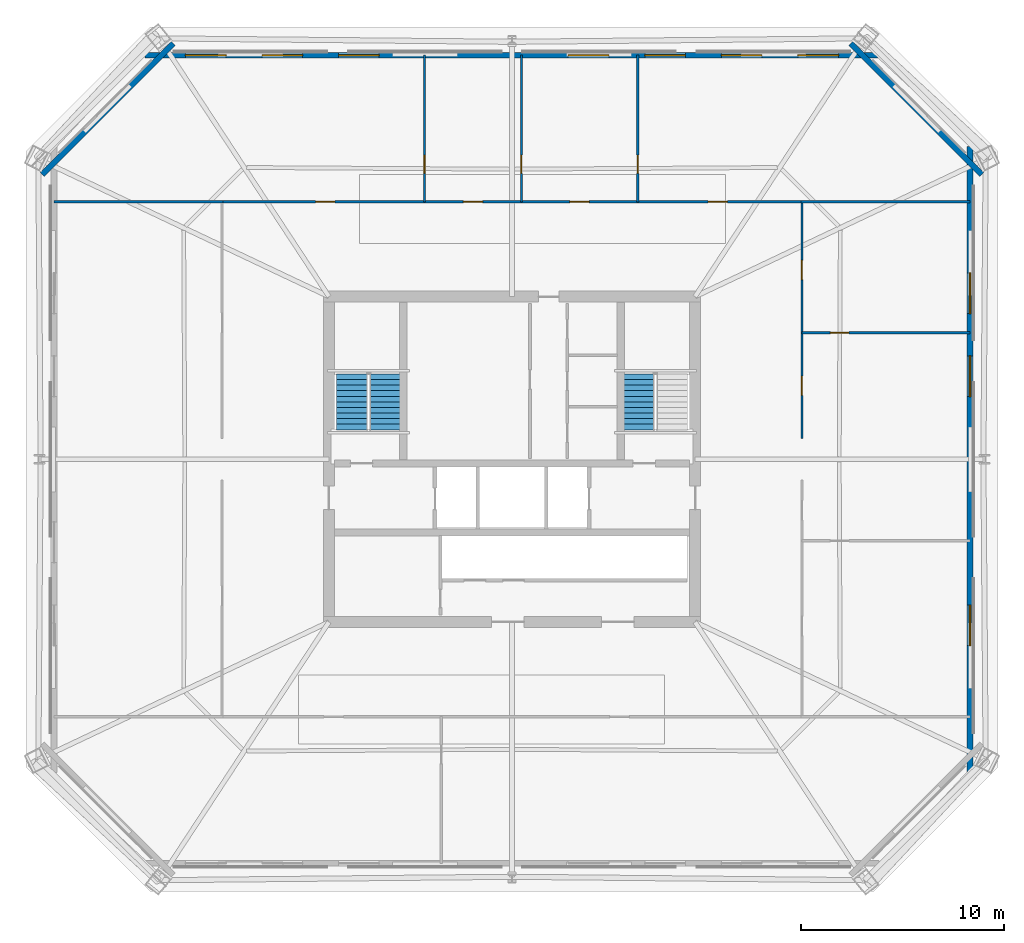
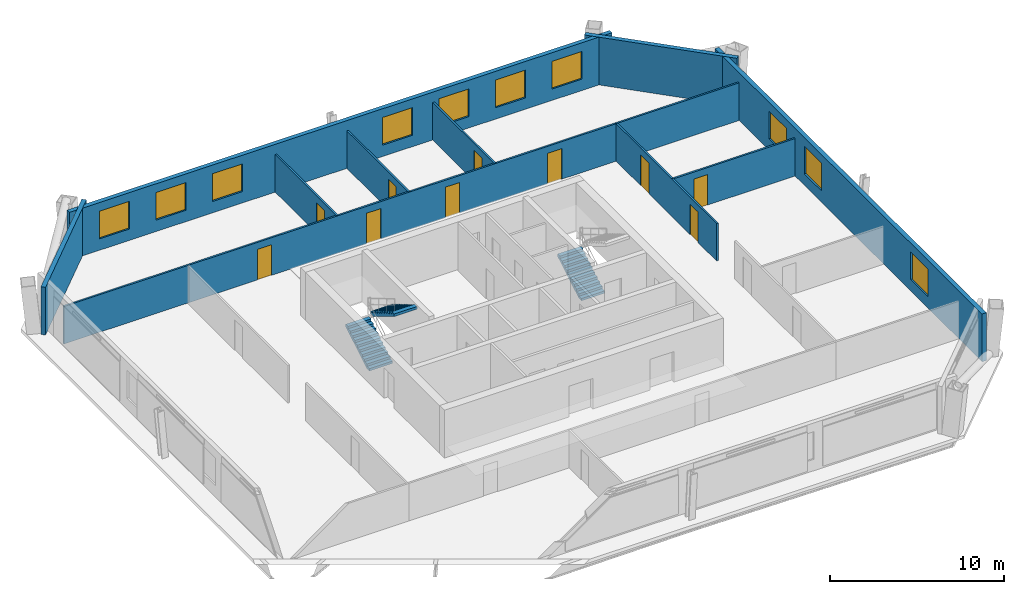
# One storey, part 4 of 7: 12 walls, 10 doors, 10 windows, 3 stair flights, 20 openings, 2 elements without a shape of their own.
"""IFC4 building model written with IfcOpenShell, lengths in metres."""

from ifc_helpers import new_model, si_unit, direction, frame, frame_2d, origin, place, context, subcontext, project, spatial, polyline, rectangle, outline, extrude, material, layer, layer_set, type_object, element, fill, aggregate, save


model = new_model("IFC4")

# Units and contexts
model_context = context("Model", 3, precision=1e-05, world=origin(), true_north=direction((0.0, 1.0)))
body_context = subcontext(model_context, "Body", "Model", "MODEL_VIEW")
ifc_project = project(units=[si_unit("LENGTHUNIT", "METRE"), si_unit("AREAUNIT", "SQUARE_METRE"), si_unit("VOLUMEUNIT", "CUBIC_METRE"), si_unit("PLANEANGLEUNIT", "RADIAN"), si_unit("MASSUNIT", "GRAM", prefix="KILO")], contexts=[model_context])

# Site, building, storey
site_placement = place(None, origin())
site = spatial("IfcSite", under=ifc_project, at=site_placement, CompositionType="ELEMENT")
building_placement = place(site_placement, origin())
building = spatial("IfcBuilding", under=site, at=building_placement, Name="Caelvoria Tower", CompositionType="ELEMENT")
storey_placement = place(building_placement, frame((0.0, 0.0, 134.800048828125)))
storey = spatial("IfcBuildingStorey", under=building, at=storey_placement, Name="L35", CompositionType="ELEMENT", Elevation=134.800048828125)

# Wall, openings, windows
ifc_material_1 = material(Name="Precast Concrete C40/50 with Bronze Cladding", Category="concrete")
ifc_layer_1 = layer(ifc_material_1, 0.280029296875, Name="Precast Concrete C40/50 with Bronze Cladding")
ifc_layer_set_1 = layer_set([ifc_layer_1], Name="Exterior Precast Concrete C40/50 Bronze-Clad Facade Wall 280 - Precast Concrete C40/50 with Bronze Cladding")
wall_type_1 = type_object("IfcWallType", Name="Exterior Precast Concrete C40/50 Bronze-Clad Facade Wall 280", PredefinedType="STANDARD", material=ifc_layer_set_1)
wall_1_placement = place(storey_placement, frame((68.52001953125, 16.610107421875, 0.0), z_axis=(0.0, 0.0, 1.0), x_axis=(0.0, 1.0, 0.0)))
wall_1 = element("IfcWall", 1, at=wall_1_placement, inside=storey, type_object=wall_type_1, Name="Exterior Facade Wall L35-E2", PredefinedType="STANDARD", context=body_context, shape_type="SweptSolid", body=[
    extrude(rectangle(XDim=30.77978515625, YDim=0.280029296875, at=frame_2d((15.389892578125, 0.0))), origin(), (0.0, 0.0, 1.0), 3.35986328125),
])
opening_1_placement = place(wall_1_placement, frame((6.224365234375, 0.0, 0.800048828125)))
opening_1 = element("IfcOpeningElement", 2, at=opening_1_placement, cuts=wall_1, Name="Opening WN-01", PredefinedType="OPENING", context=body_context, shape_type="SweptSolid", body=[
    extrude(rectangle(XDim=2.0, YDim=1.949951171875, at=frame_2d((1.0, 0.97509765625))), frame((0.0, 0.14990234375, 0.0), z_axis=(0.0, -1.0, 0.0), x_axis=(1.0, 0.0, 0.0)), (0.0, 0.0, 1.0), 0.300048828125),
])
opening_2_placement = place(wall_1_placement, frame((18.472900390625, 0.0, 0.800048828125)))
opening_2 = element("IfcOpeningElement", 3, at=opening_2_placement, cuts=wall_1, Name="Opening WN-01", PredefinedType="OPENING", context=body_context, shape_type="SweptSolid", body=[
    extrude(rectangle(XDim=2.0, YDim=1.949951171875, at=frame_2d((1.0, 0.97509765625))), frame((0.0, 0.14990234375, 0.0), z_axis=(0.0, -1.0, 0.0), x_axis=(1.0, 0.0, 0.0)), (0.0, 0.0, 1.0), 0.300048828125),
])
opening_3_placement = place(wall_1_placement, frame((22.5556640625, 0.0, 0.800048828125)))
opening_3 = element("IfcOpeningElement", 4, at=opening_3_placement, cuts=wall_1, Name="Opening WN-01", PredefinedType="OPENING", context=body_context, shape_type="SweptSolid", body=[
    extrude(rectangle(XDim=2.0, YDim=1.949951171875, at=frame_2d((1.0, 0.97509765625))), frame((0.0, 0.14990234375, 0.0), z_axis=(0.0, -1.0, 0.0), x_axis=(1.0, 0.0, 0.0)), (0.0, 0.0, 1.0), 0.300048828125),
])
ifc_material_2 = material(Name="Low-E Tinted Glass in Bronze Aluminium Frame", Category="aluminium")
window_type = type_object("IfcWindowType", Name="Tower Office Vision Window 2000x1950", PartitioningType="SINGLE_PANEL", PredefinedType="WINDOW", material=ifc_material_2)
window_1_placement = place(opening_1_placement, origin())
window_1 = element("IfcWindow", 5, at=window_1_placement, inside=storey, type_object=window_type, Name="Facade Window L35-E2-01", OverallHeight=1.949951171875, OverallWidth=2.0, PartitioningType="SINGLE_PANEL", PredefinedType="WINDOW", context=body_context, shape_type="SweptSolid", body=[
    extrude(rectangle(XDim=2.0, YDim=1.949951171875, at=frame_2d((1.0, 0.97509765625))), frame((0.0, 0.030029296875, 0.0), z_axis=(0.0, -1.0, 0.0), x_axis=(1.0, 0.0, 0.0)), (0.0, 0.0, 1.0), 0.06005859375),
])
fill(opening_1, window_1)
window_2_placement = place(opening_2_placement, origin())
window_2 = element("IfcWindow", 6, at=window_2_placement, inside=storey, type_object=window_type, Name="Facade Window L35-E2-04", OverallHeight=1.949951171875, OverallWidth=2.0, PartitioningType="SINGLE_PANEL", PredefinedType="WINDOW", context=body_context, shape_type="SweptSolid", body=[
    extrude(rectangle(XDim=2.0, YDim=1.949951171875, at=frame_2d((1.0, 0.97509765625))), frame((0.0, 0.030029296875, 0.0), z_axis=(0.0, -1.0, 0.0), x_axis=(1.0, 0.0, 0.0)), (0.0, 0.0, 1.0), 0.06005859375),
])
fill(opening_2, window_2)
window_3_placement = place(opening_3_placement, origin())
window_3 = element("IfcWindow", 7, at=window_3_placement, inside=storey, type_object=window_type, Name="Facade Window L35-E2-05", OverallHeight=1.949951171875, OverallWidth=2.0, PartitioningType="SINGLE_PANEL", PredefinedType="WINDOW", context=body_context, shape_type="SweptSolid", body=[
    extrude(rectangle(XDim=2.0, YDim=1.949951171875, at=frame_2d((1.0, 0.97509765625))), frame((0.0, 0.030029296875, 0.0), z_axis=(0.0, -1.0, 0.0), x_axis=(1.0, 0.0, 0.0)), (0.0, 0.0, 1.0), 0.06005859375),
])
fill(opening_3, window_3)

# Wall
wall_2_placement = place(storey_placement, frame((69.093994140625, 46.00439453125, 0.0), z_axis=(0.0, 0.0, 1.0), x_axis=(-0.707106781187, 0.707106781187, 0.0)))
element("IfcWall", 8, at=wall_2_placement, inside=storey, type_object=wall_type_1, Name="Exterior Facade Wall L35-E3", PredefinedType="STANDARD", context=body_context, shape_type="SweptSolid", body=[
    extrude(rectangle(XDim=9.106689453125, YDim=0.280029296875, at=frame_2d((4.55322265625, 0.0))), origin(), (0.0, 0.0, 1.0), 3.35986328125),
])

# Wall, openings, windows
wall_3_placement = place(storey_placement, frame((64.0400390625, 51.8701171875, 0.0), z_axis=(0.0, 0.0, 1.0), x_axis=(-1.0, 0.0, 0.0)))
wall_3 = element("IfcWall", 9, at=wall_3_placement, inside=storey, type_object=wall_type_1, Name="Exterior Facade Wall L35-E4", PredefinedType="STANDARD", context=body_context, shape_type="SweptSolid", body=[
    extrude(rectangle(XDim=36.080078125, YDim=0.280029296875, at=frame_2d((18.0400390625, 0.0))), origin(), (0.0, 0.0, 1.0), 3.35986328125),
])
opening_4_placement = place(wall_3_placement, frame((1.982177734375, 0.0, 0.800048828125)))
opening_4 = element("IfcOpeningElement", 10, at=opening_4_placement, cuts=wall_3, Name="Opening WN-01", PredefinedType="OPENING", context=body_context, shape_type="SweptSolid", body=[
    extrude(rectangle(XDim=2.0, YDim=1.949951171875, at=frame_2d((1.0, 0.97509765625))), frame((0.0, 0.14990234375, 0.0), z_axis=(0.0, -1.0, 0.0), x_axis=(1.0, 0.0, 0.0)), (0.0, 0.0, 1.0), 0.300048828125),
])
opening_5_placement = place(wall_3_placement, frame((5.74658203125, 0.0, 0.800048828125)))
opening_5 = element("IfcOpeningElement", 11, at=opening_5_placement, cuts=wall_3, Name="Opening WN-01", PredefinedType="OPENING", context=body_context, shape_type="SweptSolid", body=[
    extrude(rectangle(XDim=2.0, YDim=1.949951171875, at=frame_2d((1.0, 0.97509765625))), frame((0.0, 0.14990234375, 0.0), z_axis=(0.0, -1.0, 0.0), x_axis=(1.0, 0.0, 0.0)), (0.0, 0.0, 1.0), 0.300048828125),
])
opening_6_placement = place(wall_3_placement, frame((9.510986328125, 0.0, 0.800048828125)))
opening_6 = element("IfcOpeningElement", 12, at=opening_6_placement, cuts=wall_3, Name="Opening WN-01", PredefinedType="OPENING", context=body_context, shape_type="SweptSolid", body=[
    extrude(rectangle(XDim=2.0, YDim=1.949951171875, at=frame_2d((1.0, 0.97509765625))), frame((0.0, 0.14990234375, 0.0), z_axis=(0.0, -1.0, 0.0), x_axis=(1.0, 0.0, 0.0)), (0.0, 0.0, 1.0), 0.300048828125),
])
opening_7_placement = place(wall_3_placement, frame((13.275634765625, 0.0, 0.800048828125)))
opening_7 = element("IfcOpeningElement", 13, at=opening_7_placement, cuts=wall_3, Name="Opening WN-01", PredefinedType="OPENING", context=body_context, shape_type="SweptSolid", body=[
    extrude(rectangle(XDim=2.0, YDim=1.949951171875, at=frame_2d((1.0, 0.97509765625))), frame((0.0, 0.14990234375, 0.0), z_axis=(0.0, -1.0, 0.0), x_axis=(1.0, 0.0, 0.0)), (0.0, 0.0, 1.0), 0.300048828125),
])
opening_8_placement = place(wall_3_placement, frame((24.56884765625, 0.0, 0.800048828125)))
opening_8 = element("IfcOpeningElement", 14, at=opening_8_placement, cuts=wall_3, Name="Opening WN-01", PredefinedType="OPENING", context=body_context, shape_type="SweptSolid", body=[
    extrude(rectangle(XDim=2.0, YDim=1.949951171875, at=frame_2d((1.0, 0.97509765625))), frame((0.0, 0.14990234375, 0.0), z_axis=(0.0, -1.0, 0.0), x_axis=(1.0, 0.0, 0.0)), (0.0, 0.0, 1.0), 0.300048828125),
])
opening_9_placement = place(wall_3_placement, frame((28.333251953125, 0.0, 0.800048828125)))
opening_9 = element("IfcOpeningElement", 15, at=opening_9_placement, cuts=wall_3, Name="Opening WN-01", PredefinedType="OPENING", context=body_context, shape_type="SweptSolid", body=[
    extrude(rectangle(XDim=2.0, YDim=1.949951171875, at=frame_2d((1.0, 0.97509765625))), frame((0.0, 0.14990234375, 0.0), z_axis=(0.0, -1.0, 0.0), x_axis=(1.0, 0.0, 0.0)), (0.0, 0.0, 1.0), 0.300048828125),
])
opening_10_placement = place(wall_3_placement, frame((32.097900390625, 0.0, 0.800048828125)))
opening_10 = element("IfcOpeningElement", 16, at=opening_10_placement, cuts=wall_3, Name="Opening WN-01", PredefinedType="OPENING", context=body_context, shape_type="SweptSolid", body=[
    extrude(rectangle(XDim=2.0, YDim=1.949951171875, at=frame_2d((1.0, 0.97509765625))), frame((0.0, 0.14990234375, 0.0), z_axis=(0.0, -1.0, 0.0), x_axis=(1.0, 0.0, 0.0)), (0.0, 0.0, 1.0), 0.300048828125),
])
window_4_placement = place(opening_4_placement, origin())
window_4 = element("IfcWindow", 17, at=window_4_placement, inside=storey, type_object=window_type, Name="Facade Window L35-E4-00", OverallHeight=1.949951171875, OverallWidth=2.0, PartitioningType="SINGLE_PANEL", PredefinedType="WINDOW", context=body_context, shape_type="SweptSolid", body=[
    extrude(rectangle(XDim=2.0, YDim=1.949951171875, at=frame_2d((1.0, 0.97509765625))), frame((0.0, 0.030029296875, 0.0), z_axis=(0.0, -1.0, 0.0), x_axis=(1.0, 0.0, 0.0)), (0.0, 0.0, 1.0), 0.06005859375),
])
fill(opening_4, window_4)
window_5_placement = place(opening_5_placement, origin())
window_5 = element("IfcWindow", 18, at=window_5_placement, inside=storey, type_object=window_type, Name="Facade Window L35-E4-01", OverallHeight=1.949951171875, OverallWidth=2.0, PartitioningType="SINGLE_PANEL", PredefinedType="WINDOW", context=body_context, shape_type="SweptSolid", body=[
    extrude(rectangle(XDim=2.0, YDim=1.949951171875, at=frame_2d((1.0, 0.97509765625))), frame((0.0, 0.030029296875, 0.0), z_axis=(0.0, -1.0, 0.0), x_axis=(1.0, 0.0, 0.0)), (0.0, 0.0, 1.0), 0.06005859375),
])
fill(opening_5, window_5)
window_6_placement = place(opening_6_placement, origin())
window_6 = element("IfcWindow", 19, at=window_6_placement, inside=storey, type_object=window_type, Name="Facade Window L35-E4-02", OverallHeight=1.949951171875, OverallWidth=2.0, PartitioningType="SINGLE_PANEL", PredefinedType="WINDOW", context=body_context, shape_type="SweptSolid", body=[
    extrude(rectangle(XDim=2.0, YDim=1.949951171875, at=frame_2d((1.0, 0.97509765625))), frame((0.0, 0.030029296875, 0.0), z_axis=(0.0, -1.0, 0.0), x_axis=(1.0, 0.0, 0.0)), (0.0, 0.0, 1.0), 0.06005859375),
])
fill(opening_6, window_6)
window_7_placement = place(opening_7_placement, origin())
window_7 = element("IfcWindow", 20, at=window_7_placement, inside=storey, type_object=window_type, Name="Facade Window L35-E4-03", OverallHeight=1.949951171875, OverallWidth=2.0, PartitioningType="SINGLE_PANEL", PredefinedType="WINDOW", context=body_context, shape_type="SweptSolid", body=[
    extrude(rectangle(XDim=2.0, YDim=1.949951171875, at=frame_2d((1.0, 0.97509765625))), frame((0.0, 0.030029296875, 0.0), z_axis=(0.0, -1.0, 0.0), x_axis=(1.0, 0.0, 0.0)), (0.0, 0.0, 1.0), 0.06005859375),
])
fill(opening_7, window_7)
window_8_placement = place(opening_8_placement, origin())
window_8 = element("IfcWindow", 21, at=window_8_placement, inside=storey, type_object=window_type, Name="Facade Window L35-E4-06", OverallHeight=1.949951171875, OverallWidth=2.0, PartitioningType="SINGLE_PANEL", PredefinedType="WINDOW", context=body_context, shape_type="SweptSolid", body=[
    extrude(rectangle(XDim=2.0, YDim=1.949951171875, at=frame_2d((1.0, 0.97509765625))), frame((0.0, 0.030029296875, 0.0), z_axis=(0.0, -1.0, 0.0), x_axis=(1.0, 0.0, 0.0)), (0.0, 0.0, 1.0), 0.06005859375),
])
fill(opening_8, window_8)
window_9_placement = place(opening_9_placement, origin())
window_9 = element("IfcWindow", 22, at=window_9_placement, inside=storey, type_object=window_type, Name="Facade Window L35-E4-07", OverallHeight=1.949951171875, OverallWidth=2.0, PartitioningType="SINGLE_PANEL", PredefinedType="WINDOW", context=body_context, shape_type="SweptSolid", body=[
    extrude(rectangle(XDim=2.0, YDim=1.949951171875, at=frame_2d((1.0, 0.97509765625))), frame((0.0, 0.030029296875, 0.0), z_axis=(0.0, -1.0, 0.0), x_axis=(1.0, 0.0, 0.0)), (0.0, 0.0, 1.0), 0.06005859375),
])
fill(opening_9, window_9)
window_10_placement = place(opening_10_placement, origin())
window_10 = element("IfcWindow", 23, at=window_10_placement, inside=storey, type_object=window_type, Name="Facade Window L35-E4-08", OverallHeight=1.949951171875, OverallWidth=2.0, PartitioningType="SINGLE_PANEL", PredefinedType="WINDOW", context=body_context, shape_type="SweptSolid", body=[
    extrude(rectangle(XDim=2.0, YDim=1.949951171875, at=frame_2d((1.0, 0.97509765625))), frame((0.0, 0.030029296875, 0.0), z_axis=(0.0, -1.0, 0.0), x_axis=(1.0, 0.0, 0.0)), (0.0, 0.0, 1.0), 0.06005859375),
])
fill(opening_10, window_10)

# Wall
wall_4_placement = place(storey_placement, frame((29.345458984375, 52.44384765625, 0.0), z_axis=(0.0, 0.0, 1.0), x_axis=(-0.707106781187, -0.707106781187, 0.0)))
element("IfcWall", 24, at=wall_4_placement, inside=storey, type_object=wall_type_1, Name="Exterior Facade Wall L35-E5", PredefinedType="STANDARD", context=body_context, shape_type="SweptSolid", body=[
    extrude(rectangle(XDim=9.106689453125, YDim=0.280029296875, at=frame_2d((4.55322265625, 0.0))), origin(), (0.0, 0.0, 1.0), 3.35986328125),
])

# Wall, opening, door
ifc_material_3 = material(Name="Acoustic Gypsum Board on Light-Gauge Stud", Category="gypsum")
ifc_layer_2 = layer(ifc_material_3, 0.1201171875, Name="Acoustic Gypsum Board on Light-Gauge Stud")
ifc_layer_set_2 = layer_set([ifc_layer_2], Name="Tenant Suite Acoustic Partition Wall 120 - Acoustic Gypsum Board on Light-Gauge Stud")
wall_type_2 = type_object("IfcWallType", Name="Tenant Suite Acoustic Partition Wall 120", PredefinedType="PARTITIONING", material=ifc_layer_set_2)
wall_5_placement = place(storey_placement, frame((41.697265625, 44.659912109375, 0.0), z_axis=(0.0, 0.0, 1.0), x_axis=(0.0, 1.0, 0.0)))
wall_5 = element("IfcWall", 25, at=wall_5_placement, inside=storey, type_object=wall_type_2, Name="Interior Partition IW-L35-ND-00-0", PredefinedType="PARTITIONING", context=body_context, shape_type="SweptSolid", body=[
    extrude(rectangle(XDim=7.210205078125, YDim=0.1201171875, at=frame_2d((3.60498046875, 0.0))), origin(), (0.0, 0.0, 1.0), 2.639892578125),
])
opening_11_placement = place(wall_5_placement, frame((1.39990234375, 0.0, 0.0)))
opening_11 = element("IfcOpeningElement", 26, at=opening_11_placement, cuts=wall_5, Name="Opening ID-06", PredefinedType="OPENING", context=body_context, shape_type="SweptSolid", body=[
    extrude(rectangle(XDim=0.89990234375, YDim=2.14990234375, at=frame_2d((0.449951171875, 1.074951171875))), frame((0.0, 0.070068359375, 0.0), z_axis=(0.0, -1.0, 0.0), x_axis=(1.0, 0.0, 0.0)), (0.0, 0.0, 1.0), 0.14013671875),
])
ifc_material_4 = material(Name="Engineered Andean Oak Veneer Door", Category="wood")
door_type_1 = type_object("IfcDoorType", Name="Interior Timber Door 900x2150", OperationType="NOTDEFINED", PredefinedType="DOOR", material=ifc_material_4)
door_1_placement = place(opening_11_placement, origin())
door_1 = element("IfcDoor", 27, at=door_1_placement, inside=storey, type_object=door_type_1, Name="Interior Door DR-L35-NM-00-0", OperationType="SINGLE_SWING_RIGHT", OverallHeight=2.14990234375, OverallWidth=0.89990234375, PredefinedType="DOOR", context=body_context, shape_type="SweptSolid", body=[
    extrude(rectangle(XDim=0.89990234375, YDim=2.14990234375, at=frame_2d((0.449951171875, 1.074951171875))), frame((0.0, 0.02490234375, 0.0), z_axis=(0.0, -1.0, 0.0), x_axis=(1.0, 0.0, 0.0)), (0.0, 0.0, 1.0), 0.050048828125),
])
fill(opening_11, door_1)

wall_6_placement = place(storey_placement, frame((46.466552734375, 44.659912109375, 0.0), z_axis=(0.0, 0.0, 1.0), x_axis=(0.0, 1.0, 0.0)))
wall_6 = element("IfcWall", 28, at=wall_6_placement, inside=storey, type_object=wall_type_2, Name="Interior Partition IW-L35-ND-01-0", PredefinedType="PARTITIONING", context=body_context, shape_type="SweptSolid", body=[
    extrude(rectangle(XDim=7.210205078125, YDim=0.1201171875, at=frame_2d((3.60498046875, 0.0))), origin(), (0.0, 0.0, 1.0), 2.639892578125),
])
opening_12_placement = place(wall_6_placement, frame((1.39990234375, 0.0, 0.0)))
opening_12 = element("IfcOpeningElement", 29, at=opening_12_placement, cuts=wall_6, Name="Opening ID-06", PredefinedType="OPENING", context=body_context, shape_type="SweptSolid", body=[
    extrude(rectangle(XDim=0.89990234375, YDim=2.14990234375, at=frame_2d((0.449951171875, 1.074951171875))), frame((0.0, 0.070068359375, 0.0), z_axis=(0.0, -1.0, 0.0), x_axis=(1.0, 0.0, 0.0)), (0.0, 0.0, 1.0), 0.14013671875),
])
door_2_placement = place(opening_12_placement, origin())
door_2 = element("IfcDoor", 30, at=door_2_placement, inside=storey, type_object=door_type_1, Name="Interior Door DR-L35-NM-01-0", OperationType="SINGLE_SWING_LEFT", OverallHeight=2.14990234375, OverallWidth=0.89990234375, PredefinedType="DOOR", context=body_context, shape_type="SweptSolid", body=[
    extrude(rectangle(XDim=0.89990234375, YDim=2.14990234375, at=frame_2d((0.449951171875, 1.074951171875))), frame((0.0, 0.02490234375, 0.0), z_axis=(0.0, -1.0, 0.0), x_axis=(1.0, 0.0, 0.0)), (0.0, 0.0, 1.0), 0.050048828125),
])
fill(opening_12, door_2)

wall_7_placement = place(storey_placement, frame((52.179443359375, 44.659912109375, 0.0), z_axis=(0.0, 0.0, 1.0), x_axis=(0.0, 1.0, 0.0)))
wall_7 = element("IfcWall", 31, at=wall_7_placement, inside=storey, type_object=wall_type_2, Name="Interior Partition IW-L35-ND-02-0", PredefinedType="PARTITIONING", context=body_context, shape_type="SweptSolid", body=[
    extrude(rectangle(XDim=7.210205078125, YDim=0.1201171875, at=frame_2d((3.60498046875, 0.0))), origin(), (0.0, 0.0, 1.0), 2.639892578125),
])
opening_13_placement = place(wall_7_placement, frame((1.39990234375, 0.0, 0.0)))
opening_13 = element("IfcOpeningElement", 32, at=opening_13_placement, cuts=wall_7, Name="Opening ID-06", PredefinedType="OPENING", context=body_context, shape_type="SweptSolid", body=[
    extrude(rectangle(XDim=0.89990234375, YDim=2.14990234375, at=frame_2d((0.449951171875, 1.074951171875))), frame((0.0, 0.070068359375, 0.0), z_axis=(0.0, -1.0, 0.0), x_axis=(1.0, 0.0, 0.0)), (0.0, 0.0, 1.0), 0.14013671875),
])
door_3_placement = place(opening_13_placement, origin())
door_3 = element("IfcDoor", 33, at=door_3_placement, inside=storey, type_object=door_type_1, Name="Interior Door DR-L35-NM-02-0", OperationType="SINGLE_SWING_RIGHT", OverallHeight=2.14990234375, OverallWidth=0.89990234375, PredefinedType="DOOR", context=body_context, shape_type="SweptSolid", body=[
    extrude(rectangle(XDim=0.89990234375, YDim=2.14990234375, at=frame_2d((0.449951171875, 1.074951171875))), frame((0.0, 0.02490234375, 0.0), z_axis=(0.0, -1.0, 0.0), x_axis=(1.0, 0.0, 0.0)), (0.0, 0.0, 1.0), 0.050048828125),
])
fill(opening_13, door_3)

# Wall, openings, doors
wall_8_placement = place(storey_placement, frame((31.800048828125, 44.659912109375, 0.0), z_axis=(0.0, 0.0, 1.0), x_axis=(1.0, 0.0, 0.0)))
wall_8 = element("IfcWall", 34, at=wall_8_placement, inside=storey, type_object=wall_type_2, Name="Interior Partition IW-L35-NCW-0", PredefinedType="PARTITIONING", context=body_context, shape_type="SweptSolid", body=[
    extrude(rectangle(XDim=28.39990234375, YDim=0.1201171875, at=frame_2d((14.199951171875, 0.0))), origin(), (0.0, 0.0, 1.0), 2.639892578125),
])
opening_14_placement = place(wall_8_placement, frame((4.543701171875, 0.0, 0.0)))
opening_14 = element("IfcOpeningElement", 35, at=opening_14_placement, cuts=wall_8, Name="Opening ID-05", PredefinedType="OPENING", context=body_context, shape_type="SweptSolid", body=[
    extrude(rectangle(XDim=0.949951171875, YDim=2.14990234375, at=frame_2d((0.47509765625, 1.074951171875))), frame((0.0, 0.070068359375, 0.0), z_axis=(0.0, -1.0, 0.0), x_axis=(1.0, 0.0, 0.0)), (0.0, 0.0, 1.0), 0.14013671875),
])
opening_15_placement = place(wall_8_placement, frame((11.806884765625, 0.0, 0.0)))
opening_15 = element("IfcOpeningElement", 36, at=opening_15_placement, cuts=wall_8, Name="Opening ID-05", PredefinedType="OPENING", context=body_context, shape_type="SweptSolid", body=[
    extrude(rectangle(XDim=0.949951171875, YDim=2.14990234375, at=frame_2d((0.47509765625, 1.074951171875))), frame((0.0, 0.070068359375, 0.0), z_axis=(0.0, -1.0, 0.0), x_axis=(1.0, 0.0, 0.0)), (0.0, 0.0, 1.0), 0.14013671875),
])
opening_16_placement = place(wall_8_placement, frame((17.048095703125, 0.0, 0.0)))
opening_16 = element("IfcOpeningElement", 37, at=opening_16_placement, cuts=wall_8, Name="Opening ID-05", PredefinedType="OPENING", context=body_context, shape_type="SweptSolid", body=[
    extrude(rectangle(XDim=0.949951171875, YDim=2.14990234375, at=frame_2d((0.47509765625, 1.074951171875))), frame((0.0, 0.070068359375, 0.0), z_axis=(0.0, -1.0, 0.0), x_axis=(1.0, 0.0, 0.0)), (0.0, 0.0, 1.0), 0.14013671875),
])
opening_17_placement = place(wall_8_placement, frame((23.8447265625, 0.0, 0.0)))
opening_17 = element("IfcOpeningElement", 38, at=opening_17_placement, cuts=wall_8, Name="Opening ID-05", PredefinedType="OPENING", context=body_context, shape_type="SweptSolid", body=[
    extrude(rectangle(XDim=0.949951171875, YDim=2.14990234375, at=frame_2d((0.47509765625, 1.074951171875))), frame((0.0, 0.070068359375, 0.0), z_axis=(0.0, -1.0, 0.0), x_axis=(1.0, 0.0, 0.0)), (0.0, 0.0, 1.0), 0.14013671875),
])
door_type_2 = type_object("IfcDoorType", Name="Interior Timber Door 950x2150", OperationType="NOTDEFINED", PredefinedType="DOOR", material=ifc_material_4)
door_4_placement = place(opening_14_placement, origin())
door_4 = element("IfcDoor", 39, at=door_4_placement, inside=storey, type_object=door_type_2, Name="Interior Door DR-L35-NC-00-0", OperationType="SINGLE_SWING_RIGHT", OverallHeight=2.14990234375, OverallWidth=0.949951171875, PredefinedType="DOOR", context=body_context, shape_type="SweptSolid", body=[
    extrude(rectangle(XDim=0.949951171875, YDim=2.14990234375, at=frame_2d((0.47509765625, 1.074951171875))), frame((0.0, 0.02490234375, 0.0), z_axis=(0.0, -1.0, 0.0), x_axis=(1.0, 0.0, 0.0)), (0.0, 0.0, 1.0), 0.050048828125),
])
fill(opening_14, door_4)
door_5_placement = place(opening_15_placement, origin())
door_5 = element("IfcDoor", 40, at=door_5_placement, inside=storey, type_object=door_type_2, Name="Interior Door DR-L35-NC-01-0", OperationType="SINGLE_SWING_LEFT", OverallHeight=2.14990234375, OverallWidth=0.949951171875, PredefinedType="DOOR", context=body_context, shape_type="SweptSolid", body=[
    extrude(rectangle(XDim=0.949951171875, YDim=2.14990234375, at=frame_2d((0.47509765625, 1.074951171875))), frame((0.0, 0.02490234375, 0.0), z_axis=(0.0, -1.0, 0.0), x_axis=(1.0, 0.0, 0.0)), (0.0, 0.0, 1.0), 0.050048828125),
])
fill(opening_15, door_5)
door_6_placement = place(opening_16_placement, origin())
door_6 = element("IfcDoor", 41, at=door_6_placement, inside=storey, type_object=door_type_2, Name="Interior Door DR-L35-NC-02-0", OperationType="SINGLE_SWING_RIGHT", OverallHeight=2.14990234375, OverallWidth=0.949951171875, PredefinedType="DOOR", context=body_context, shape_type="SweptSolid", body=[
    extrude(rectangle(XDim=0.949951171875, YDim=2.14990234375, at=frame_2d((0.47509765625, 1.074951171875))), frame((0.0, 0.02490234375, 0.0), z_axis=(0.0, -1.0, 0.0), x_axis=(1.0, 0.0, 0.0)), (0.0, 0.0, 1.0), 0.050048828125),
])
fill(opening_16, door_6)
door_7_placement = place(opening_17_placement, origin())
door_7 = element("IfcDoor", 42, at=door_7_placement, inside=storey, type_object=door_type_2, Name="Interior Door DR-L35-NC-03-0", OperationType="SINGLE_SWING_LEFT", OverallHeight=2.14990234375, OverallWidth=0.949951171875, PredefinedType="DOOR", context=body_context, shape_type="SweptSolid", body=[
    extrude(rectangle(XDim=0.949951171875, YDim=2.14990234375, at=frame_2d((0.47509765625, 1.074951171875))), frame((0.0, 0.02490234375, 0.0), z_axis=(0.0, -1.0, 0.0), x_axis=(1.0, 0.0, 0.0)), (0.0, 0.0, 1.0), 0.050048828125),
])
fill(opening_17, door_7)

# Wall, opening, door
wall_9_placement = place(storey_placement, frame((60.260009765625, 38.2119140625, 0.0), z_axis=(0.0, 0.0, 1.0), x_axis=(1.0, 0.0, 0.0)))
wall_9 = element("IfcWall", 43, at=wall_9_placement, inside=storey, type_object=wall_type_2, Name="Interior Partition IW-L35-ED-01-0", PredefinedType="PARTITIONING", context=body_context, shape_type="SweptSolid", body=[
    extrude(rectangle(XDim=8.260009765625, YDim=0.1201171875, at=frame_2d((4.1298828125, 0.0))), origin(), (0.0, 0.0, 1.0), 2.639892578125),
])
opening_18_placement = place(wall_9_placement, frame((1.39990234375, 0.0, 0.0)))
opening_18 = element("IfcOpeningElement", 44, at=opening_18_placement, cuts=wall_9, Name="Opening ID-06", PredefinedType="OPENING", context=body_context, shape_type="SweptSolid", body=[
    extrude(rectangle(XDim=0.89990234375, YDim=2.14990234375, at=frame_2d((0.449951171875, 1.074951171875))), frame((0.0, 0.070068359375, 0.0), z_axis=(0.0, -1.0, 0.0), x_axis=(1.0, 0.0, 0.0)), (0.0, 0.0, 1.0), 0.14013671875),
])
door_8_placement = place(opening_18_placement, origin())
door_8 = element("IfcDoor", 45, at=door_8_placement, inside=storey, type_object=door_type_1, Name="Interior Door DR-L35-EM-01-0", OperationType="SINGLE_SWING_LEFT", OverallHeight=2.14990234375, OverallWidth=0.89990234375, PredefinedType="DOOR", context=body_context, shape_type="SweptSolid", body=[
    extrude(rectangle(XDim=0.89990234375, YDim=2.14990234375, at=frame_2d((0.449951171875, 1.074951171875))), frame((0.0, 0.02490234375, 0.0), z_axis=(0.0, -1.0, 0.0), x_axis=(1.0, 0.0, 0.0)), (0.0, 0.0, 1.0), 0.050048828125),
])
fill(opening_18, door_8)

# Wall, openings, doors
wall_10_placement = place(storey_placement, frame((60.260009765625, 33.02001953125, 0.0), z_axis=(0.0, 0.0, 1.0), x_axis=(0.0, 1.0, 0.0)))
wall_10 = element("IfcWall", 46, at=wall_10_placement, inside=storey, type_object=wall_type_2, Name="Interior Partition IW-L35-ECW-1", PredefinedType="PARTITIONING", context=body_context, shape_type="SweptSolid", body=[
    extrude(rectangle(XDim=11.580078125, YDim=0.1201171875, at=frame_2d((5.7900390625, 0.0))), origin(), (0.0, 0.0, 1.0), 2.639892578125),
])
opening_19_placement = place(wall_10_placement, frame((2.120849609375, 0.0, 0.0)))
opening_19 = element("IfcOpeningElement", 47, at=opening_19_placement, cuts=wall_10, Name="Opening ID-05", PredefinedType="OPENING", context=body_context, shape_type="SweptSolid", body=[
    extrude(rectangle(XDim=0.949951171875, YDim=2.14990234375, at=frame_2d((0.47509765625, 1.074951171875))), frame((0.0, 0.070068359375, 0.0), z_axis=(0.0, -1.0, 0.0), x_axis=(1.0, 0.0, 0.0)), (0.0, 0.0, 1.0), 0.14013671875),
])
opening_20_placement = place(wall_10_placement, frame((7.810791015625, 0.0, 0.0)))
opening_20 = element("IfcOpeningElement", 48, at=opening_20_placement, cuts=wall_10, Name="Opening ID-05", PredefinedType="OPENING", context=body_context, shape_type="SweptSolid", body=[
    extrude(rectangle(XDim=0.949951171875, YDim=2.14990234375, at=frame_2d((0.47509765625, 1.074951171875))), frame((0.0, 0.070068359375, 0.0), z_axis=(0.0, -1.0, 0.0), x_axis=(1.0, 0.0, 0.0)), (0.0, 0.0, 1.0), 0.14013671875),
])
door_9_placement = place(opening_19_placement, origin())
door_9 = element("IfcDoor", 49, at=door_9_placement, inside=storey, type_object=door_type_2, Name="Interior Door DR-L35-EC-01-0", OperationType="SINGLE_SWING_LEFT", OverallHeight=2.14990234375, OverallWidth=0.949951171875, PredefinedType="DOOR", context=body_context, shape_type="SweptSolid", body=[
    extrude(rectangle(XDim=0.949951171875, YDim=2.14990234375, at=frame_2d((0.47509765625, 1.074951171875))), frame((0.0, 0.02490234375, 0.0), z_axis=(0.0, -1.0, 0.0), x_axis=(1.0, 0.0, 0.0)), (0.0, 0.0, 1.0), 0.050048828125),
])
fill(opening_19, door_9)
door_10_placement = place(opening_20_placement, origin())
door_10 = element("IfcDoor", 50, at=door_10_placement, inside=storey, type_object=door_type_2, Name="Interior Door DR-L35-EC-02-0", OperationType="SINGLE_SWING_RIGHT", OverallHeight=2.14990234375, OverallWidth=0.949951171875, PredefinedType="DOOR", context=body_context, shape_type="SweptSolid", body=[
    extrude(rectangle(XDim=0.949951171875, YDim=2.14990234375, at=frame_2d((0.47509765625, 1.074951171875))), frame((0.0, 0.02490234375, 0.0), z_axis=(0.0, -1.0, 0.0), x_axis=(1.0, 0.0, 0.0)), (0.0, 0.0, 1.0), 0.050048828125),
])
fill(opening_20, door_10)

# Walls
for number, where, z_axis, x_axis, name in (
    (51, (31.800048828125, 44.659912109375, 0.0), (0.0, 0.0, 1.0), (-1.0, 0.0, 0.0), "Interior Partition IW-L35-BNW-0"),
    (52, (60.199951171875, 44.659912109375, 0.0), (0.0, 0.0, 1.0), (1.0, 0.0, 0.0), "Interior Partition IW-L35-BNE-0"),
):
    element("IfcWall", number, at=place(storey_placement, frame(where, z_axis=z_axis, x_axis=x_axis)), inside=storey, type_object=wall_type_2, Name=name, PredefinedType="PARTITIONING", context=body_context, shape_type="SweptSolid", body=[
        extrude(rectangle(XDim=8.320068359375, YDim=0.1201171875, at=frame_2d((4.16015625, 0.0))), origin(), (0.0, 0.0, 1.0), 2.639892578125),
    ])

# Stair, stair flights
ifc_material_5 = material(Name="Concrete C40/50", Category="concrete")
stair_type = type_object("IfcStairType", Name="Core Smokeproof Dogleg Stair Concrete C40/50", PredefinedType="HALF_TURN_STAIR", material=ifc_material_5)
stair_1_placement = place(storey_placement, origin())
stair_1 = element("IfcStair", 53, at=stair_1_placement, inside=storey, type_object=stair_type, Name="ST-01 Smokeproof Exit Stair L35", PredefinedType="HALF_TURN_STAIR")
ifc_material_6 = material(Name="Precast Concrete C40/50", Category="concrete")
stair_flight_type = type_object("IfcStairFlightType", Name="Precast Concrete C40/50 Stair Flight 1480", PredefinedType="STRAIGHT", material=ifc_material_6)
stair_flight_1_placement = place(storey_placement, frame((38.1298828125, 33.449951171875, 0.0), z_axis=(0.0, 0.0, 1.0), x_axis=(0.0, 1.0, 0.0)))
stair_flight_1 = element("IfcStairFlight", 54, at=stair_flight_1_placement, type_object=stair_flight_type, Name="ST-01 flight 1", NumberOfRisers=11, NumberOfTreads=10, PredefinedType="STRAIGHT", RiserHeight=0.1636, TreadLength=0.275, context=body_context, shape_type="SweptSolid", body=[
    extrude(outline(polyline([(0.0, 0.0), (0.0, 0.16357421875), (0.27490234375, 0.16357421875), (0.27490234375, 0.3271484375), (0.550048828125, 0.3271484375), (0.550048828125, 0.49072265625), (0.824951171875, 0.49072265625), (0.824951171875, 0.654296875), (1.10009765625, 0.654296875), (1.10009765625, 0.818115234375), (1.375, 0.818115234375), (1.375, 0.981689453125), (1.64990234375, 0.981689453125), (1.64990234375, 1.145263671875), (1.925048828125, 1.145263671875), (1.925048828125, 1.308837890625), (2.199951171875, 1.308837890625), (2.199951171875, 1.472412109375), (2.47509765625, 1.472412109375), (2.47509765625, 1.635986328125), (2.75, 1.635986328125), (2.75, 1.799560546875), (2.75, 1.449951171875), (0.312744140625, 0.0), (0.0, 0.0)])), frame((0.0, 0.77001953125, 0.0), z_axis=(0.0, -1.0, 0.0), x_axis=(1.0, 0.0, 0.0)), (0.0, 0.0, 1.0), 1.5400390625),
])
stair_flight_2_placement = place(storey_placement, frame((39.77001953125, 36.199951171875, 1.800048828125), z_axis=(0.0, 0.0, 1.0), x_axis=(0.0, -1.0, 0.0)))
stair_flight_2 = element("IfcStairFlight", 55, at=stair_flight_2_placement, type_object=stair_flight_type, Name="ST-01 flight 2", NumberOfRisers=11, NumberOfTreads=10, PredefinedType="STRAIGHT", RiserHeight=0.1636, TreadLength=0.275, context=body_context, shape_type="SweptSolid", body=[
    extrude(outline(polyline([(0.0, 0.0), (0.0, 0.16357421875), (0.27490234375, 0.16357421875), (0.27490234375, 0.3271484375), (0.550048828125, 0.3271484375), (0.550048828125, 0.49072265625), (0.824951171875, 0.49072265625), (0.824951171875, 0.654296875), (1.10009765625, 0.654296875), (1.10009765625, 0.818115234375), (1.375, 0.818115234375), (1.375, 0.981689453125), (1.64990234375, 0.981689453125), (1.64990234375, 1.145263671875), (1.925048828125, 1.145263671875), (1.925048828125, 1.308837890625), (2.199951171875, 1.308837890625), (2.199951171875, 1.472412109375), (2.47509765625, 1.472412109375), (2.47509765625, 1.635986328125), (2.75, 1.635986328125), (2.75, 1.799560546875), (2.75, 1.449951171875), (0.312744140625, 0.0), (0.0, 0.0)])), frame((0.0, 0.77001953125, 0.0), z_axis=(0.0, -1.0, 0.0), x_axis=(1.0, 0.0, 0.0)), (0.0, 0.0, 1.0), 1.5400390625),
])
aggregate(stair_1, [stair_flight_1, stair_flight_2])

# Stair, stair flight
stair_2_placement = place(storey_placement, origin())
stair_2 = element("IfcStair", 56, at=stair_2_placement, inside=storey, type_object=stair_type, Name="ST-02 Smokeproof Exit Stair L35", PredefinedType="HALF_TURN_STAIR")
stair_flight_3_placement = place(storey_placement, frame((52.22998046875, 33.449951171875, 0.0), z_axis=(0.0, 0.0, 1.0), x_axis=(0.0, 1.0, 0.0)))
stair_flight_3 = element("IfcStairFlight", 57, at=stair_flight_3_placement, type_object=stair_flight_type, Name="ST-02 flight 1", NumberOfRisers=11, NumberOfTreads=10, PredefinedType="STRAIGHT", RiserHeight=0.1636, TreadLength=0.275, context=body_context, shape_type="SweptSolid", body=[
    extrude(outline(polyline([(0.0, 0.0), (0.0, 0.16357421875), (0.27490234375, 0.16357421875), (0.27490234375, 0.3271484375), (0.550048828125, 0.3271484375), (0.550048828125, 0.49072265625), (0.824951171875, 0.49072265625), (0.824951171875, 0.654296875), (1.10009765625, 0.654296875), (1.10009765625, 0.818115234375), (1.375, 0.818115234375), (1.375, 0.981689453125), (1.64990234375, 0.981689453125), (1.64990234375, 1.145263671875), (1.925048828125, 1.145263671875), (1.925048828125, 1.308837890625), (2.199951171875, 1.308837890625), (2.199951171875, 1.472412109375), (2.47509765625, 1.472412109375), (2.47509765625, 1.635986328125), (2.75, 1.635986328125), (2.75, 1.799560546875), (2.75, 1.449951171875), (0.312744140625, 0.0), (0.0, 0.0)])), frame((0.0, 0.77001953125, 0.0), z_axis=(0.0, -1.0, 0.0), x_axis=(1.0, 0.0, 0.0)), (0.0, 0.0, 1.0), 1.5400390625),
])
aggregate(stair_2, [stair_flight_3])

save(model, "model.ifc")
